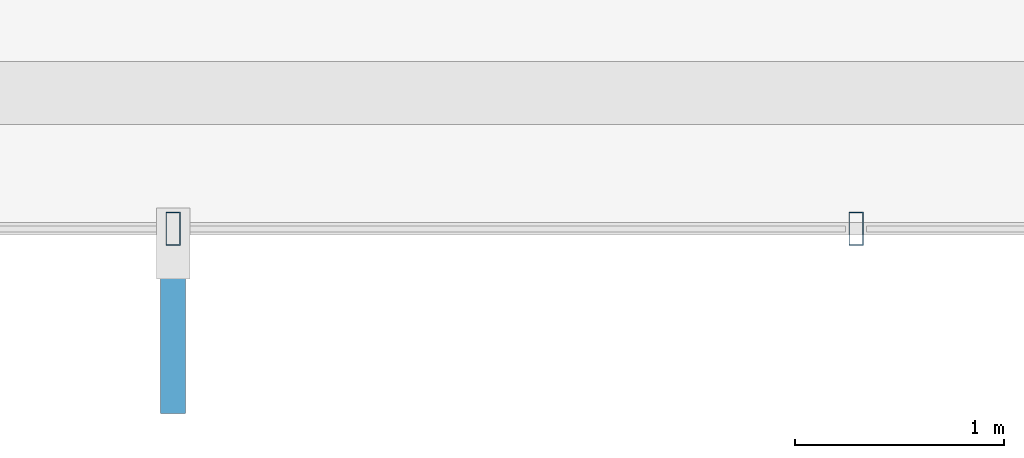
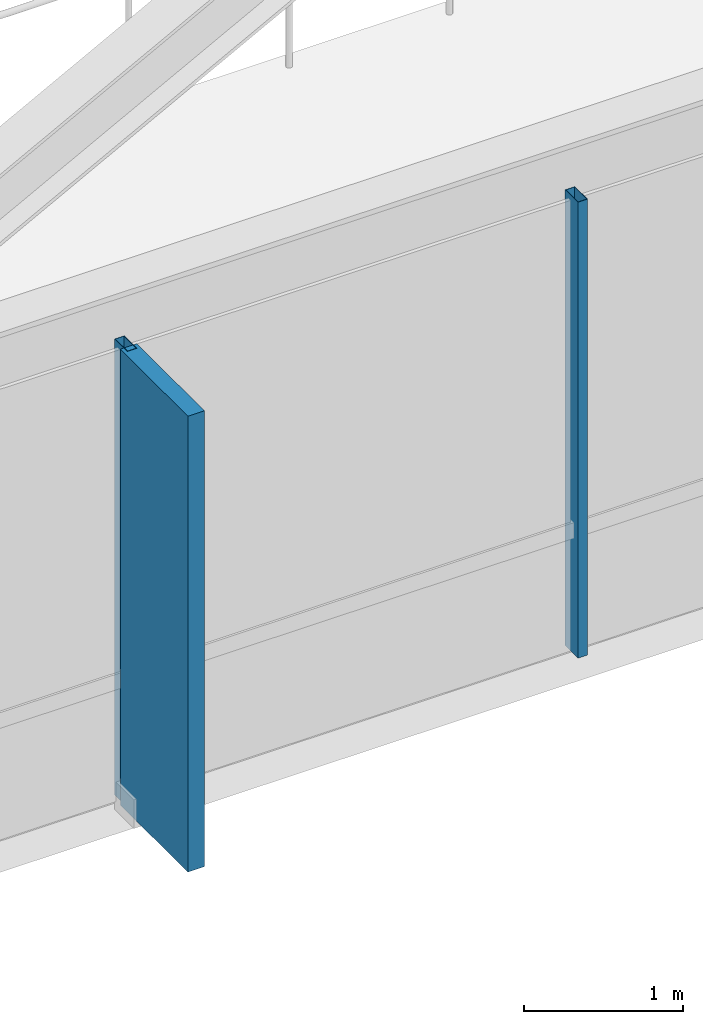
# One storey, part 6 of 28: 3 members, 1 element without a shape of its own.
"""IFC4 building model written with IfcOpenShell, lengths in metres."""

from ifc_helpers import new_model, si_unit, direction, frame, origin, origin_2d, place, context, subcontext, project, spatial, rectangle, hollow_rectangle, extrude, material, layer, layer_set, material_profile, profile_set, type_object, element, aggregate, save


model = new_model("IFC4")

# Units and contexts
model_context = context("Model", 3, precision=1e-05, world=origin(), true_north=direction((0.0, 1.0)))
body_context = subcontext(model_context, "Body", "Model", "MODEL_VIEW")
ifc_project = project(units=[si_unit("LENGTHUNIT", "METRE"), si_unit("AREAUNIT", "SQUARE_METRE"), si_unit("VOLUMEUNIT", "CUBIC_METRE"), si_unit("PLANEANGLEUNIT", "RADIAN"), si_unit("MASSUNIT", "GRAM", prefix="KILO")], contexts=[model_context])

# Site, building, storey
site_placement = place(None, origin())
site = spatial("IfcSite", under=ifc_project, at=site_placement, CompositionType="ELEMENT")
building_placement = place(site_placement, origin())
building = spatial("IfcBuilding", under=site, at=building_placement, Name="Zarrinselat Tower", CompositionType="ELEMENT")
storey_placement = place(building_placement, frame((0.0, 0.0, 149.60009765625)))
storey = spatial("IfcBuildingStorey", under=building, at=storey_placement, Name="L36", CompositionType="ELEMENT", Elevation=149.60009765625)

# Curtain wall, members
ifc_material_1 = material(Name="Extruded Aluminium Alloy EN AW-6063 T6", Category="aluminium")
ifc_layer = layer(ifc_material_1, 0.175048828125)
ifc_layer_set = layer_set([ifc_layer], Name="Extruded Aluminium Alloy EN AW-6063 T6")
curtain_wall_type = type_object("IfcCurtainWallType", Name="CWS-HTL", PredefinedType="NOTDEFINED", material=ifc_layer_set)
curtain_wall_placement = place(storey_placement, origin())
curtain_wall = element("IfcCurtainWall", 1, at=curtain_wall_placement, inside=storey, type_object=curtain_wall_type, Name="L36 Unitised Curtain Wall CW-L36-E04", PredefinedType="NOTDEFINED")
ifc_material_2 = material(Name="Extruded Aluminium Alloy EN AW-6063 T6", Category="aluminium")
ifc_material_profile_1 = material_profile(ifc_material_2, hollow_rectangle(XDim=0.070068359375, YDim=0.159912109375, WallThickness=0.00390625, at=origin_2d()), Name="RHS 160x70x4")
ifc_profile_set_1 = profile_set([ifc_material_profile_1], Name="Extruded Aluminium Alloy EN AW-6063 T6")
member_type_1 = type_object("IfcMemberType", Name="MEM-CW-MUL2", PredefinedType="MULLION", material=ifc_profile_set_1)
member_1_placement = place(storey_placement, frame((33.49169921875, 17.83154296875, 0.0), z_axis=(0.0, 0.0, 1.0), x_axis=(1.0, 0.0, 0.0)))
member_1 = element("IfcMember", 2, at=member_1_placement, type_object=member_type_1, Name="CW-L36-E04 Mullion 1", PredefinedType="MULLION", context=body_context, shape_type="SweptSolid", body=[
    extrude(hollow_rectangle(XDim=0.070068359375, YDim=0.159912109375, WallThickness=0.00390625, at=origin_2d()), origin(), (0.0, 0.0, 1.0), 3.5),
])
member_2_placement = place(storey_placement, frame((36.763916015625, 17.83154296875, 0.0), z_axis=(0.0, 0.0, 1.0), x_axis=(1.0, 0.0, 0.0)))
member_2 = element("IfcMember", 3, at=member_2_placement, type_object=member_type_1, Name="CW-L36-E04 Mullion 2", PredefinedType="MULLION", context=body_context, shape_type="SweptSolid", body=[
    extrude(hollow_rectangle(XDim=0.070068359375, YDim=0.159912109375, WallThickness=0.00390625, at=origin_2d()), origin(), (0.0, 0.0, 1.0), 3.5),
])
ifc_material_3 = material(Name="Honed Cream Travertine Stone", Category="masonry")
ifc_material_profile_2 = material_profile(ifc_material_3, rectangle(XDim=0.1201171875, YDim=0.85009765625, at=origin_2d()), Name="FIN 850x120")
ifc_profile_set_2 = profile_set([ifc_material_profile_2], Name="Honed Cream Travertine Stone")
member_type_2 = type_object("IfcMemberType", Name="MEM-STONE-FIN", PredefinedType="USERDEFINED", material=ifc_profile_set_2)
member_3_placement = place(storey_placement, frame((33.49169921875, 17.37158203125, 0.0), z_axis=(0.0, 0.0, 1.0), x_axis=(-1.0, 0.0, 0.0)))
member_3 = element("IfcMember", 4, at=member_3_placement, type_object=member_type_2, Name="L36 Stone Shading Fin CW-L36-E04-01", ObjectType="FIN", PredefinedType="USERDEFINED", context=body_context, shape_type="SweptSolid", body=[
    extrude(rectangle(XDim=0.1201171875, YDim=0.85009765625, at=origin_2d()), origin(), (0.0, 0.0, 1.0), 3.5),
])
aggregate(curtain_wall, [member_1, member_3, member_2])

save(model, "model.ifc")
